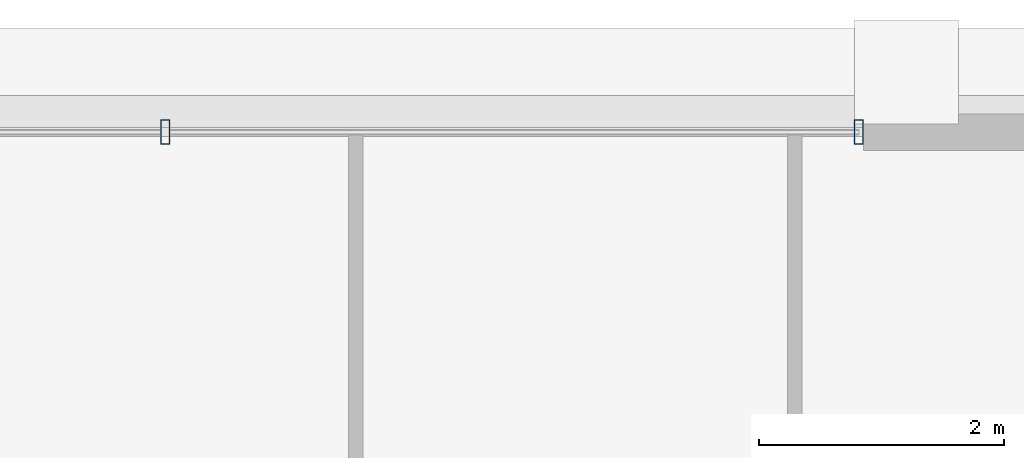
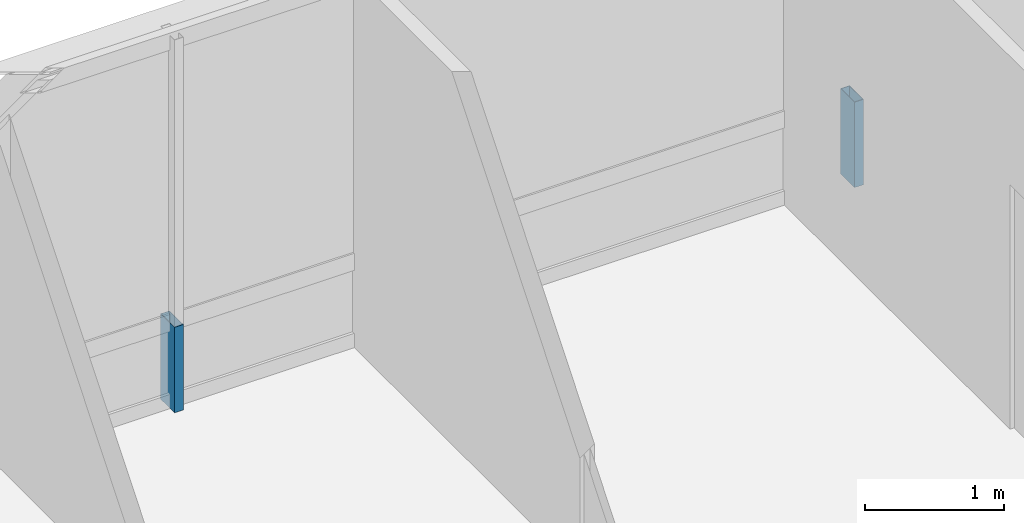
# One storey, part 28 of 35: 2 members, 1 element without a shape of its own.
"""IFC4 building model written with IfcOpenShell, lengths in metres."""

from ifc_helpers import new_model, si_unit, direction, frame, origin, origin_2d, place, context, subcontext, project, spatial, hollow_rectangle, extrude, source, transform, mapped, material, layer, layer_set, material_profile, profile_set, type_object, element, aggregate, save


model = new_model("IFC4")

# Units and contexts
model_context = context("Model", 3, precision=1e-05, world=origin(), true_north=direction((0.0, 1.0)))
body_context = subcontext(model_context, "Body", "Model", "MODEL_VIEW")
ifc_project = project(units=[si_unit("LENGTHUNIT", "METRE"), si_unit("AREAUNIT", "SQUARE_METRE"), si_unit("VOLUMEUNIT", "CUBIC_METRE"), si_unit("PLANEANGLEUNIT", "RADIAN"), si_unit("MASSUNIT", "GRAM", prefix="KILO"), si_unit("THERMODYNAMICTEMPERATUREUNIT", "KELVIN"), si_unit("POWERUNIT", "WATT")], contexts=[model_context])

# Site, building, storey
site_placement = place(None, origin())
site = spatial("IfcSite", under=ifc_project, at=site_placement, CompositionType="ELEMENT")
building_placement = place(site_placement, origin())
building = spatial("IfcBuilding", under=site, at=building_placement, Name="Yuzanri Waterfront Tower", CompositionType="ELEMENT")
storey_placement = place(building_placement, frame((0.0, 0.0, 332.199951171875)))
storey = spatial("IfcBuildingStorey", under=building, at=storey_placement, Name="L89", CompositionType="ELEMENT", Elevation=332.199951171875)

# Curtain wall, members
ifc_material_1 = material(Name="Anodized Architectural Bronze", Category="metal")
ifc_layer = layer(ifc_material_1, 0.159912109375)
ifc_layer_set = layer_set([ifc_layer], Name="Anodized Architectural Bronze")
curtain_wall_type = type_object("IfcCurtainWallType", Name="Anodized Bronze High-Rise Penthouse High-Wind Unitized Curtain Wall 6900", PredefinedType="NOTDEFINED", material=ifc_layer_set)
curtain_wall_placement = place(storey_placement, origin())
curtain_wall = element("IfcCurtainWall", 1, at=curtain_wall_placement, inside=storey, type_object=curtain_wall_type, Name="L89 Curtain Wall CW-L89-NR", PredefinedType="NOTDEFINED")
ifc_material_2 = material(Name="Anodized Architectural Bronze", Category="metal")
ifc_material_profile = material_profile(ifc_material_2, hollow_rectangle(XDim=0.074951171875, YDim=0.199951171875, WallThickness=0.00390625, at=origin_2d()), Name="CWM 75x200")
ifc_profile_set = profile_set([ifc_material_profile], Name="Anodized Architectural Bronze")
member_type = type_object("IfcMemberType", Name="Anodized Bronze Primary Curtain-Wall Mullion 75x200", PredefinedType="MULLION", material=ifc_profile_set)
shared_shape = source(origin(), body_context, "Body", "SweptSolid", [
    extrude(hollow_rectangle(XDim=0.074951171875, YDim=0.199951171875, WallThickness=0.00390625, at=origin_2d()), origin(), (0.0, 0.0, 1.0), 0.751953125),
])
member_1_placement = place(storey_placement, frame((43.050048828125, 44.75, 0.0), z_axis=(0.0, 0.0, 1.0), x_axis=(1.0, 0.0, 0.0)))
member_1 = element("IfcMember", 2, at=member_1_placement, type_object=member_type, Name="CW-L89-NR Lower Mullion 01", PredefinedType="MULLION", context=body_context, shape_type="MappedRepresentation", body=[
    mapped(shared_shape, transform((0.0, 0.0, 0.0), scale=1.0)),
])
member_2_placement = place(storey_placement, frame((48.7099609375, 44.75, 0.0), z_axis=(0.0, 0.0, 1.0), x_axis=(1.0, 0.0, 0.0)))
member_2 = element("IfcMember", 3, at=member_2_placement, type_object=member_type, Name="CW-L89-NR Lower Mullion 02", PredefinedType="MULLION", context=body_context, shape_type="MappedRepresentation", body=[
    mapped(shared_shape, transform((0.0, 0.0, 0.0), scale=1.0)),
])
aggregate(curtain_wall, [member_1, member_2])

save(model, "model.ifc")
